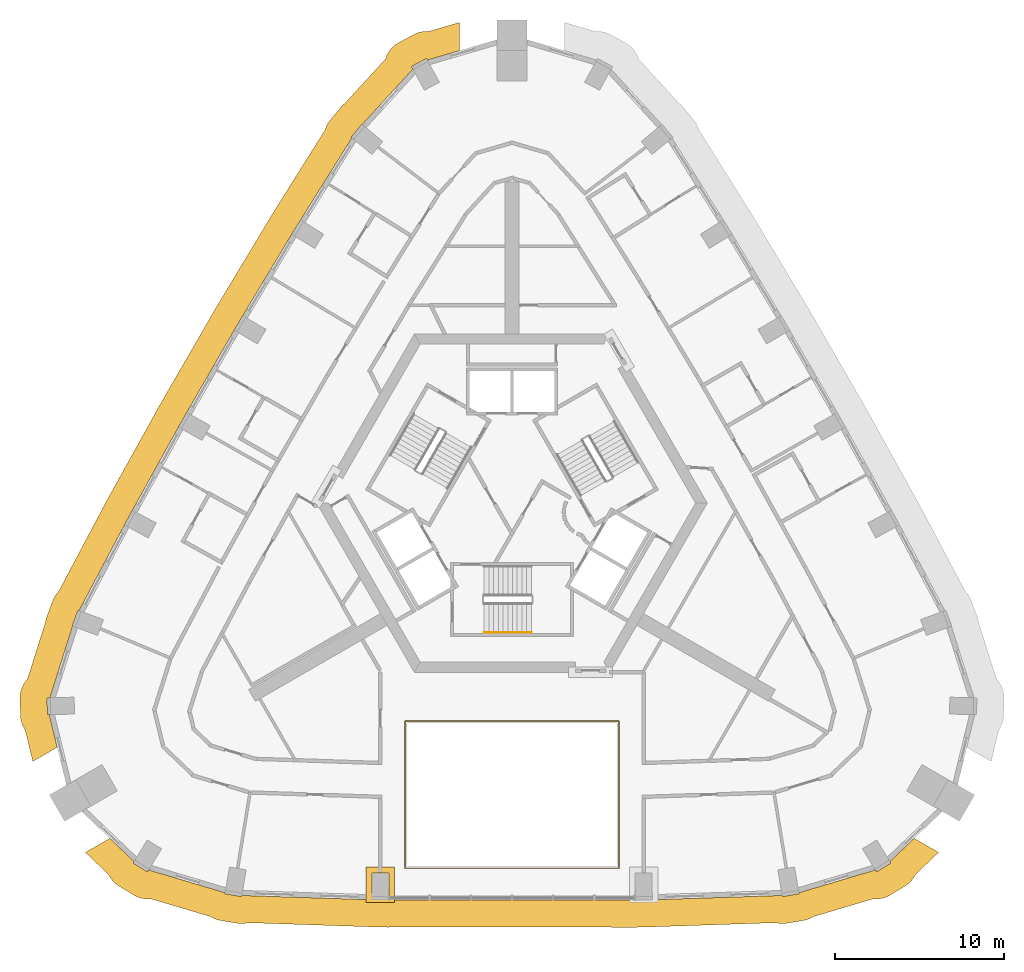
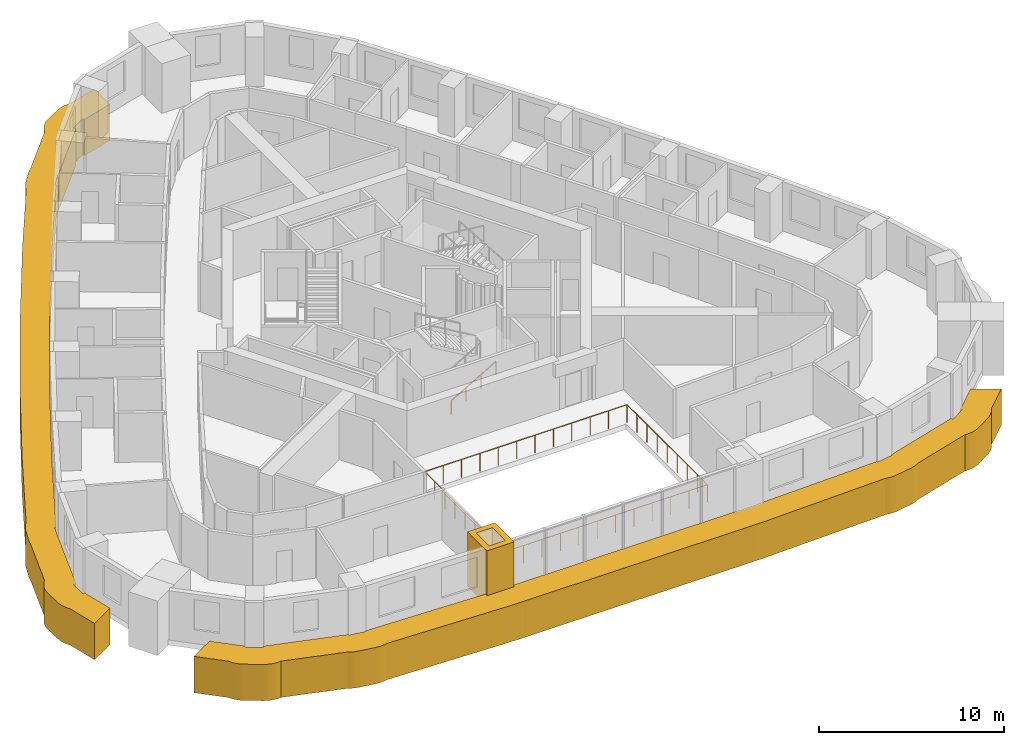
# One storey, part 11 of 13: 3 coverings, 2 railings.
"""IFC4 building model written with IfcOpenShell, lengths in metres."""

from ifc_helpers import new_model, si_unit, direction, frame, origin, origin_2d, place, context, subcontext, project, spatial, polyline, circle, outline, extrude, material, type_object, element, save


model = new_model("IFC4")

# Units and contexts
model_context = context("Model", 3, precision=1e-05, world=origin(), true_north=direction((0.0, 1.0)))
body_context = subcontext(model_context, "Body", "Model", "MODEL_VIEW")
ifc_project = project(units=[si_unit("LENGTHUNIT", "METRE"), si_unit("AREAUNIT", "SQUARE_METRE"), si_unit("VOLUMEUNIT", "CUBIC_METRE"), si_unit("PLANEANGLEUNIT", "RADIAN"), si_unit("MASSUNIT", "GRAM", prefix="KILO")], contexts=[model_context])

# Site, building, storey
site_placement = place(None, origin())
site = spatial("IfcSite", under=ifc_project, at=site_placement, CompositionType="ELEMENT")
building_placement = place(site_placement, origin())
building = spatial("IfcBuilding", under=site, at=building_placement, Name="Entoto Arch Interchange Tower", CompositionType="ELEMENT")
storey_placement = place(building_placement, frame((0.0, 0.0, 266.60009765625)))
storey = spatial("IfcBuildingStorey", under=building, at=storey_placement, Name="L61", CompositionType="ELEMENT", Elevation=266.60009765625)

# Railing
ifc_material_1 = material(Name="Stainless steel 1.4301", Category="steel")
railing_type_1 = type_object("IfcRailingType", Name="ATRIUM GUARD 1200 STEEL AND GLASS", PredefinedType="GUARDRAIL", material=ifc_material_1)
railing_1_placement = place(storey_placement, frame((6.320068359375, -19.089111328125, 0.0)))
element("IfcRailing", 1, at=railing_1_placement, inside=storey, type_object=railing_type_1, Name="Atrium guard L61", PredefinedType="GUARDRAIL", context=body_context, shape_type="SweptSolid", body=[
    extrude(circle(Radius=0.02392578125, at=origin_2d()), frame((0.0, 0.0, 1.17578125), z_axis=(-1.0, 0.0, 0.0), x_axis=(0.0, -1.0, 0.0)), (0.0, 0.0, 1.0), 12.64013671875),
    extrude(circle(Radius=0.02392578125, at=origin_2d()), frame((-12.64013671875, 0.0, 1.17578125), z_axis=(0.0, 1.0, 0.0), x_axis=(-1.0, 0.0, 0.0)), (0.0, 0.0, 1.0), 8.709228515625),
    extrude(circle(Radius=0.02392578125, at=origin_2d()), frame((-12.64013671875, 8.709228515625, 1.17578125), z_axis=(1.0, 0.0, 0.0), x_axis=(0.0, 1.0, 0.0)), (0.0, 0.0, 1.0), 12.64013671875),
    extrude(circle(Radius=0.02392578125, at=origin_2d()), frame((0.0, 8.709228515625, 1.17578125), z_axis=(0.0, -1.0, 0.0), x_axis=(1.0, 0.0, 0.0)), (0.0, 0.0, 1.0), 8.709228515625),
    extrude(circle(Radius=0.02099609375, at=origin_2d()), origin(), (0.0, 0.0, 1.0), 1.15185546875),
    extrude(circle(Radius=0.02099609375, at=origin_2d()), frame((-1.149169921875, 0.0, 0.0)), (0.0, 0.0, 1.0), 1.15185546875),
    extrude(circle(Radius=0.02099609375, at=origin_2d()), frame((-2.298095703125, 0.0, 0.0)), (0.0, 0.0, 1.0), 1.15185546875),
    extrude(circle(Radius=0.02099609375, at=origin_2d()), frame((-3.447265625, 0.0, 0.0)), (0.0, 0.0, 1.0), 1.15185546875),
    extrude(circle(Radius=0.02099609375, at=origin_2d()), frame((-4.596435546875, 0.0, 0.0)), (0.0, 0.0, 1.0), 1.15185546875),
    extrude(circle(Radius=0.02099609375, at=origin_2d()), frame((-5.74560546875, 0.0, 0.0)), (0.0, 0.0, 1.0), 1.15185546875),
    extrude(circle(Radius=0.02099609375, at=origin_2d()), frame((-6.89453125, 0.0, 0.0)), (0.0, 0.0, 1.0), 1.15185546875),
    extrude(circle(Radius=0.02099609375, at=origin_2d()), frame((-8.043701171875, 0.0, 0.0)), (0.0, 0.0, 1.0), 1.15185546875),
    extrude(circle(Radius=0.02099609375, at=origin_2d()), frame((-9.19287109375, 0.0, 0.0)), (0.0, 0.0, 1.0), 1.15185546875),
    extrude(circle(Radius=0.02099609375, at=origin_2d()), frame((-10.342041015625, 0.0, 0.0)), (0.0, 0.0, 1.0), 1.15185546875),
    extrude(circle(Radius=0.02099609375, at=origin_2d()), frame((-11.490966796875, 0.0, 0.0)), (0.0, 0.0, 1.0), 1.15185546875),
    extrude(circle(Radius=0.02099609375, at=origin_2d()), frame((-12.64013671875, 0.0, 0.0)), (0.0, 0.0, 1.0), 1.15185546875),
    extrude(circle(Radius=0.02099609375, at=origin_2d()), frame((-12.64013671875, 1.088623046875, 0.0)), (0.0, 0.0, 1.0), 1.15185546875),
    extrude(circle(Radius=0.02099609375, at=origin_2d()), frame((-12.64013671875, 2.17724609375, 0.0)), (0.0, 0.0, 1.0), 1.15185546875),
    extrude(circle(Radius=0.02099609375, at=origin_2d()), frame((-12.64013671875, 3.265869140625, 0.0)), (0.0, 0.0, 1.0), 1.15185546875),
    extrude(circle(Radius=0.02099609375, at=origin_2d()), frame((-12.64013671875, 4.3544921875, 0.0)), (0.0, 0.0, 1.0), 1.15185546875),
    extrude(circle(Radius=0.02099609375, at=origin_2d()), frame((-12.64013671875, 5.443359375, 0.0)), (0.0, 0.0, 1.0), 1.15185546875),
    extrude(circle(Radius=0.02099609375, at=origin_2d()), frame((-12.64013671875, 6.531982421875, 0.0)), (0.0, 0.0, 1.0), 1.15185546875),
    extrude(circle(Radius=0.02099609375, at=origin_2d()), frame((-12.64013671875, 7.62060546875, 0.0)), (0.0, 0.0, 1.0), 1.15185546875),
    extrude(circle(Radius=0.02099609375, at=origin_2d()), frame((-12.64013671875, 8.709228515625, 0.0)), (0.0, 0.0, 1.0), 1.15185546875),
    extrude(circle(Radius=0.02099609375, at=origin_2d()), frame((-11.490966796875, 8.709228515625, 0.0)), (0.0, 0.0, 1.0), 1.15185546875),
    extrude(circle(Radius=0.02099609375, at=origin_2d()), frame((-10.342041015625, 8.709228515625, 0.0)), (0.0, 0.0, 1.0), 1.15185546875),
    extrude(circle(Radius=0.02099609375, at=origin_2d()), frame((-9.19287109375, 8.709228515625, 0.0)), (0.0, 0.0, 1.0), 1.15185546875),
    extrude(circle(Radius=0.02099609375, at=origin_2d()), frame((-8.043701171875, 8.709228515625, 0.0)), (0.0, 0.0, 1.0), 1.15185546875),
    extrude(circle(Radius=0.02099609375, at=origin_2d()), frame((-6.89453125, 8.709228515625, 0.0)), (0.0, 0.0, 1.0), 1.15185546875),
    extrude(circle(Radius=0.02099609375, at=origin_2d()), frame((-5.74560546875, 8.709228515625, 0.0)), (0.0, 0.0, 1.0), 1.15185546875),
    extrude(circle(Radius=0.02099609375, at=origin_2d()), frame((-4.596435546875, 8.709228515625, 0.0)), (0.0, 0.0, 1.0), 1.15185546875),
    extrude(circle(Radius=0.02099609375, at=origin_2d()), frame((-3.447265625, 8.709228515625, 0.0)), (0.0, 0.0, 1.0), 1.15185546875),
    extrude(circle(Radius=0.02099609375, at=origin_2d()), frame((-2.298095703125, 8.709228515625, 0.0)), (0.0, 0.0, 1.0), 1.15185546875),
    extrude(circle(Radius=0.02099609375, at=origin_2d()), frame((-1.149169921875, 8.709228515625, 0.0)), (0.0, 0.0, 1.0), 1.15185546875),
    extrude(circle(Radius=0.02099609375, at=origin_2d()), frame((0.0, 8.709228515625, 0.0)), (0.0, 0.0, 1.0), 1.15185546875),
    extrude(circle(Radius=0.02099609375, at=origin_2d()), frame((0.0, 7.62060546875, 0.0)), (0.0, 0.0, 1.0), 1.15185546875),
    extrude(circle(Radius=0.02099609375, at=origin_2d()), frame((0.0, 6.531982421875, 0.0)), (0.0, 0.0, 1.0), 1.15185546875),
    extrude(circle(Radius=0.02099609375, at=origin_2d()), frame((0.0, 5.443359375, 0.0)), (0.0, 0.0, 1.0), 1.15185546875),
    extrude(circle(Radius=0.02099609375, at=origin_2d()), frame((0.0, 4.3544921875, 0.0)), (0.0, 0.0, 1.0), 1.15185546875),
    extrude(circle(Radius=0.02099609375, at=origin_2d()), frame((0.0, 3.265869140625, 0.0)), (0.0, 0.0, 1.0), 1.15185546875),
    extrude(circle(Radius=0.02099609375, at=origin_2d()), frame((0.0, 2.17724609375, 0.0)), (0.0, 0.0, 1.0), 1.15185546875),
    extrude(circle(Radius=0.02099609375, at=origin_2d()), frame((0.0, 1.088623046875, 0.0)), (0.0, 0.0, 1.0), 1.15185546875),
])

# Coverings
ifc_material_2 = material(Name="Board-marked precast concrete C50/60", Category="concrete")
covering_type = type_object("IfcCoveringType", Name="PRECAST FRAME COURSE", PredefinedType="CLADDING", material=ifc_material_2)
covering_1_placement = place(storey_placement, frame((0.0, 0.0, -0.340087890625)))
element("IfcCovering", 2, at=covering_1_placement, inside=storey, type_object=covering_type, Name="Gate pier L61", PredefinedType="CLADDING", context=body_context, shape_type="SweptSolid", body=[
    extrude(outline(polyline([(-8.634033203125, -19.01904296875), (-6.93408203125, -19.01904296875), (-6.93408203125, -21.118896484375), (-8.634033203125, -21.118896484375), (-8.634033203125, -19.01904296875)]), holes=[polyline([(-8.283935546875, -19.368896484375), (-8.283935546875, -20.76904296875), (-7.283935546875, -20.76904296875), (-7.283935546875, -19.368896484375), (-8.283935546875, -19.368896484375)])]), origin(), (0.0, 0.0, 1.0), 3.60009765625),
])
covering_2_placement = place(storey_placement, frame((0.0, 0.0, -2.10009765625)))
element("IfcCovering", 3, at=covering_2_placement, inside=storey, type_object=covering_type, Name="Slab edge fin L61", PredefinedType="CLADDING", context=body_context, shape_type="SweptSolid", body=[
    extrude(outline(polyline([(-29.053955078125, -10.20703125), (-29.06591796875, -10.051025390625), (-29.091064453125, -9.051025390625), (-29.0869140625, -8.89404296875), (-29.068115234375, -8.738037109375), (-29.033935546875, -8.5849609375), (-28.98388671875, -8.43603515625), (-28.9208984375, -8.2919921875), (-28.843017578125, -8.156005859375), (-28.7529296875, -8.027099609375), (-28.65087890625, -7.907958984375), (-28.64990234375, -7.907958984375), (-27.589111328125, -4.549072265625), (-27.5859375, -4.51611328125), (-27.552978515625, -4.363037109375), (-27.506103515625, -4.212890625), (-27.158935546875, -3.27490234375), (-27.097900390625, -3.131103515625), (-27.02197265625, -2.992919921875), (-26.93408203125, -2.863037109375), (-26.8330078125, -2.742919921875), (-26.802978515625, -2.714111328125), (-24.360107421875, 1.89501953125), (-24.327880859375, 1.9619140625), (-23.85400390625, 2.843017578125), (-23.843994140625, 2.861083984375), (-21.162109375, 7.694091796875), (-21.118896484375, 7.780029296875), (-20.6279296875, 8.65087890625), (-20.618896484375, 8.666015625), (-17.863037109375, 13.429931640625), (-17.805908203125, 13.5380859375), (-17.297119140625, 14.39892578125), (-17.2900390625, 14.410888671875), (-14.462890625, 19.10302734375), (-14.388916015625, 19.238037109375), (-13.863037109375, 20.087890625), (-13.85693359375, 20.097900390625), (-11.050048828125, 24.570068359375), (-11.0400390625, 24.610107421875), (-10.986083984375, 24.757080078125), (-10.91796875, 24.89892578125), (-10.8369140625, 25.032958984375), (-10.741943359375, 25.157958984375), (-10.10400390625, 25.927978515625), (-9.9970703125, 26.0439453125), (-9.8798828125, 26.14794921875), (-9.85400390625, 26.16796875), (-7.47607421875, 28.76708984375), (-7.47607421875, 28.76708984375), (-7.424072265625, 28.9150390625), (-7.35791015625, 29.05810546875), (-7.278076171875, 29.193115234375), (-7.18603515625, 29.320068359375), (-7.0810546875, 29.43701171875), (-6.966064453125, 29.5439453125), (-6.840087890625, 29.637939453125), (-6.7060546875, 29.719970703125), (-5.827880859375, 30.197998046875), (-5.68701171875, 30.26611328125), (-5.5390625, 30.321044921875), (-5.386962890625, 30.360107421875), (-5.23193359375, 30.384033203125), (-5.075927734375, 30.39306640625), (-4.93603515625, 30.386962890625), (-3.10498046875, 30.924072265625), (-3.10498046875, 29.257080078125), (-5.010986328125, 28.697998046875), (-5.06298828125, 28.79296875), (-5.501953125, 28.553955078125), (-5.94091796875, 28.31494140625), (-5.85888671875, 28.1640625), (-8.85400390625, 24.889892578125), (-8.873046875, 24.906005859375), (-9.19189453125, 24.52099609375), (-9.510986328125, 24.135986328125), (-9.4599609375, 24.093994140625), (-12.4990234375, 19.24609375), (-12.501953125, 19.2470703125), (-12.764892578125, 18.822021484375), (-13.028076171875, 18.39697265625), (-13.02294921875, 18.39404296875), (-15.916015625, 13.5830078125), (-15.919921875, 13.5859375), (-16.427978515625, 12.72412109375), (-16.424072265625, 12.721923828125), (-19.22998046875, 7.862060546875), (-19.23388671875, 7.864013671875), (-19.47998046875, 7.428955078125), (-19.72607421875, 6.993896484375), (-19.721923828125, 6.991943359375), (-22.43994140625, 2.0810546875), (-22.445068359375, 2.083984375), (-22.9189453125, 1.2041015625), (-22.916015625, 1.201904296875), (-25.595947265625, -3.85302734375), (-25.658935546875, -3.830078125), (-25.83203125, -4.299072265625), (-26.0048828125, -4.76806640625), (-25.98291015625, -4.77587890625), (-27.320068359375, -9.007080078125), (-27.490966796875, -9.010986328125), (-27.47900390625, -9.510986328125), (-27.467041015625, -10.010986328125), (-27.35791015625, -10.008056640625), (-26.888916015625, -11.93994140625), (-28.3330078125, -12.77294921875), (-28.783935546875, -10.91796875), (-28.85791015625, -10.800048828125), (-28.928955078125, -10.659912109375), (-28.986083984375, -10.512939453125), (-29.028076171875, -10.362060546875), (-29.053955078125, -10.20703125)])), origin(), (0.0, 0.0, 1.0), 2.39990234375),
])
covering_3_placement = place(storey_placement, frame((0.0, 0.0, -2.10009765625)))
element("IfcCovering", 4, at=covering_3_placement, inside=storey, type_object=covering_type, Name="Slab edge fin L61", PredefinedType="CLADDING", context=body_context, shape_type="SweptSolid", body=[
    extrude(outline(polyline([(23.597900390625, -19.845947265625), (23.488037109375, -19.9580078125), (23.367919921875, -20.05810546875), (23.238037109375, -20.14697265625), (22.384033203125, -20.66796875), (22.2470703125, -20.742919921875), (22.10205078125, -20.804931640625), (21.951904296875, -20.85107421875), (21.798095703125, -20.883056640625), (21.64208984375, -20.89990234375), (21.485107421875, -20.90087890625), (21.3740234375, -20.89111328125), (17.830078125, -21.947021484375), (17.823974609375, -21.951904296875), (17.68701171875, -22.029052734375), (17.54296875, -22.092041015625), (17.39404296875, -22.139892578125), (17.239990234375, -22.174072265625), (16.25390625, -22.341064453125), (16.097900390625, -22.360107421875), (15.94091796875, -22.363037109375), (15.784912109375, -22.35107421875), (15.6298828125, -22.322998046875), (15.5859375, -22.31103515625), (8.5009765625, -22.547119140625), (8.486083984375, -22.549072265625), (8.3291015625, -22.56005859375), (7.3291015625, -22.577880859375), (7.299072265625, -22.577880859375), (-7.14208984375, -22.569091796875), (-7.172119140625, -22.572998046875), (-7.3291015625, -22.577880859375), (-8.3291015625, -22.56005859375), (-8.486083984375, -22.549072265625), (-8.5009765625, -22.547119140625), (-15.5859375, -22.31103515625), (-15.6298828125, -22.322998046875), (-15.784912109375, -22.35107421875), (-15.94091796875, -22.363037109375), (-16.097900390625, -22.360107421875), (-16.25390625, -22.341064453125), (-17.239990234375, -22.174072265625), (-17.39404296875, -22.139892578125), (-17.54296875, -22.092041015625), (-17.68701171875, -22.029052734375), (-17.823974609375, -21.951904296875), (-17.830078125, -21.947021484375), (-21.3740234375, -20.89111328125), (-21.485107421875, -20.90087890625), (-21.64208984375, -20.89990234375), (-21.798095703125, -20.883056640625), (-21.951904296875, -20.85107421875), (-22.10205078125, -20.804931640625), (-22.2470703125, -20.742919921875), (-22.384033203125, -20.66796875), (-23.238037109375, -20.14697265625), (-23.367919921875, -20.05810546875), (-23.488037109375, -19.9580078125), (-23.597900390625, -19.845947265625), (-23.697021484375, -19.72412109375), (-23.782958984375, -19.592041015625), (-23.847900390625, -19.468017578125), (-25.22802734375, -18.15087890625), (-23.783935546875, -17.318115234375), (-22.346923828125, -18.68896484375), (-22.404052734375, -18.781005859375), (-21.97705078125, -19.0419921875), (-21.550048828125, -19.302978515625), (-21.48095703125, -19.18994140625), (-16.962890625, -20.535888671875), (-16.972900390625, -20.595947265625), (-15.987060546875, -20.763916015625), (-15.97607421875, -20.697021484375), (-8.300048828125, -20.951904296875), (-8.300048828125, -20.9599609375), (-7.300048828125, -20.97802734375), (-7.300048828125, -20.968994140625), (7.300048828125, -20.968994140625), (7.300048828125, -20.97802734375), (8.300048828125, -20.9599609375), (8.300048828125, -20.951904296875), (15.97607421875, -20.697021484375), (15.987060546875, -20.763916015625), (16.972900390625, -20.595947265625), (16.962890625, -20.535888671875), (21.48095703125, -19.18994140625), (21.550048828125, -19.302978515625), (21.97705078125, -19.0419921875), (22.404052734375, -18.781005859375), (22.346923828125, -18.68896484375), (23.783935546875, -17.318115234375), (25.22802734375, -18.15087890625), (23.847900390625, -19.468017578125), (23.782958984375, -19.592041015625), (23.697021484375, -19.72412109375), (23.597900390625, -19.845947265625)])), origin(), (0.0, 0.0, 1.0), 2.39990234375),
])

# Railing
railing_type_2 = type_object("IfcRailingType", Name="STAIR HANDRAIL 900 STEEL", PredefinedType="HANDRAIL", material=ifc_material_1)
railing_2_placement = place(storey_placement, frame((-1.64990234375, -5.14990234375, 0.16357421875)))
element("IfcRailing", 5, at=railing_2_placement, inside=storey, type_object=railing_type_2, Name="L61 ST-S stair handrail 1", PredefinedType="HANDRAIL", context=body_context, shape_type="SweptSolid", body=[
    extrude(circle(Radius=0.02392578125, at=origin_2d()), frame((0.0, 0.0, 0.8759765625), z_axis=(0.863374499697, 0.0, 0.504563646405), x_axis=(0.0, 1.0, 0.0)), (0.0, 0.0, 1.0), 3.242919921875),
    extrude(circle(Radius=0.02099609375, at=origin_2d()), origin(), (0.0, 0.0, 1.0), 0.851806640625),
    extrude(circle(Radius=0.02099609375, at=origin_2d()), frame((0.933349609375, 0.0, 0.54541015625)), (0.0, 0.0, 1.0), 0.851806640625),
    extrude(circle(Radius=0.02099609375, at=origin_2d()), frame((1.866455078125, 0.0, 1.0908203125)), (0.0, 0.0, 1.0), 0.851806640625),
    extrude(circle(Radius=0.02099609375, at=origin_2d()), frame((2.7998046875, 0.0, 1.63623046875)), (0.0, 0.0, 1.0), 0.851806640625),
])

save(model, "model.ifc")
